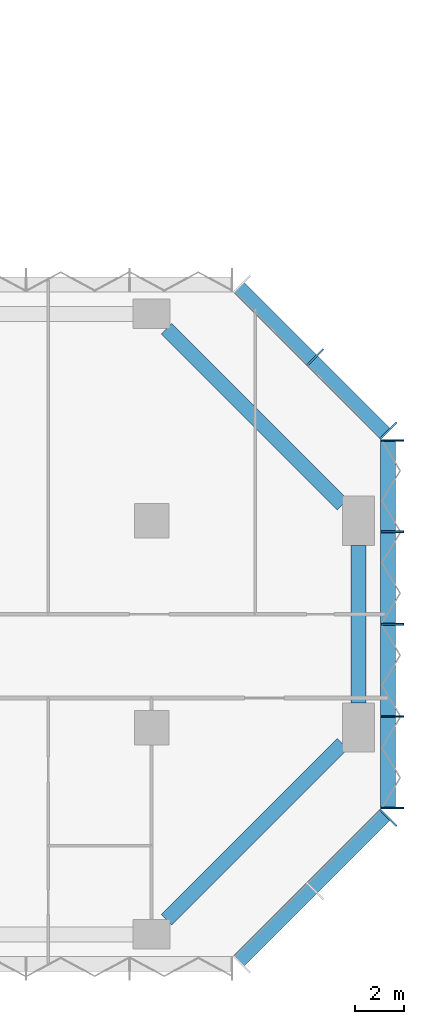
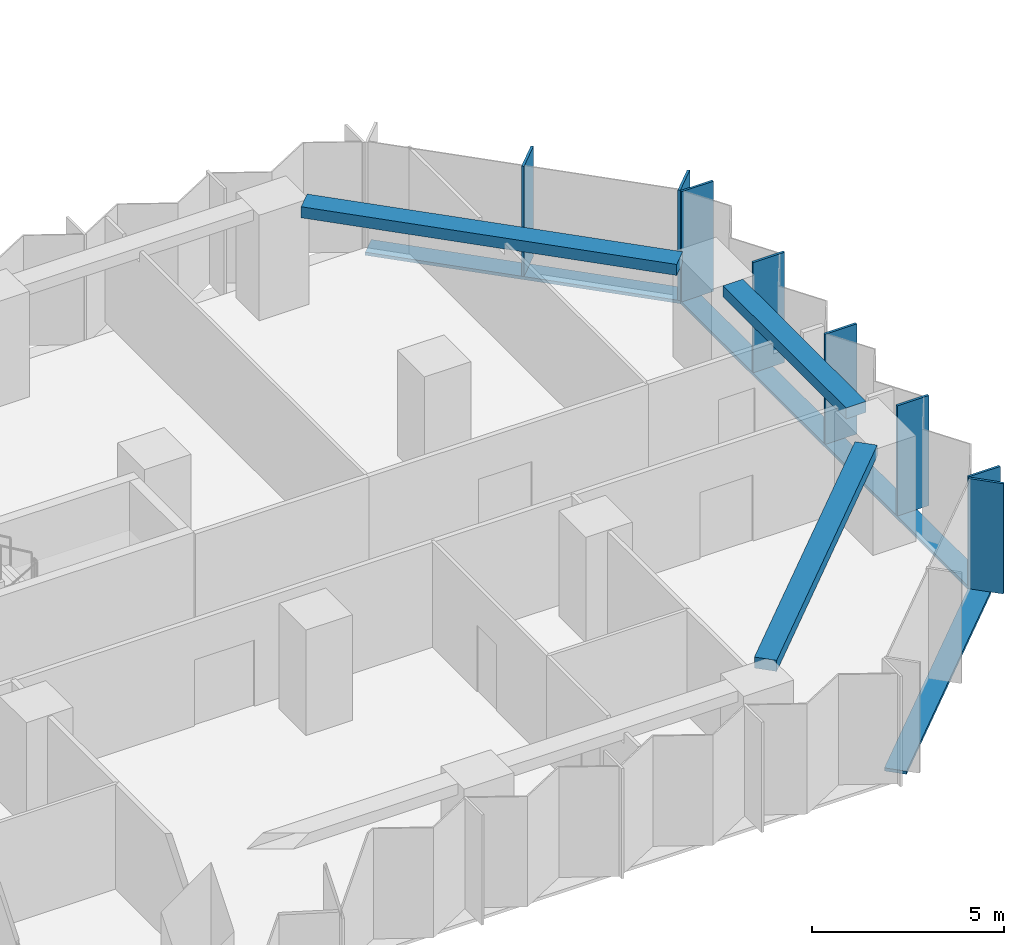
# One storey, part 4 of 15: 11 members, 3 beams, 3 elements without a shape of their own.
"""IFC4 building model written with IfcOpenShell, lengths in metres."""

from ifc_helpers import new_model, si_unit, direction, frame, origin, origin_2d, place, context, subcontext, project, spatial, rectangle, extrude, material, material_profile, profile_set, type_object, element, aggregate, save


model = new_model("IFC4")

# Units and contexts
model_context = context("Model", 3, precision=1e-05, world=origin(), true_north=direction((0.0, 1.0)))
body_context = subcontext(model_context, "Body", "Model", "MODEL_VIEW")
ifc_project = project(units=[si_unit("LENGTHUNIT", "METRE"), si_unit("AREAUNIT", "SQUARE_METRE"), si_unit("VOLUMEUNIT", "CUBIC_METRE"), si_unit("PLANEANGLEUNIT", "RADIAN"), si_unit("MASSUNIT", "GRAM", prefix="KILO")], contexts=[model_context])

# Site, building, storey
site_placement = place(None, origin())
site = spatial("IfcSite", under=ifc_project, at=site_placement, CompositionType="ELEMENT")
building_placement = place(site_placement, origin())
building = spatial("IfcBuilding", under=site, at=building_placement, Name="Brevane Broadcast Tower", CompositionType="ELEMENT")
storey_placement = place(building_placement, frame((0.0, 0.0, 47.300048828125)))
storey = spatial("IfcBuildingStorey", under=building, at=storey_placement, Name="L09", CompositionType="ELEMENT", Elevation=47.300048828125)

# Curtain wall, member
ifc_material_1 = material(Name="Aluminium 6063-T6 bronze anodised", Category="aluminium")
curtain_wall_type = type_object("IfcCurtainWallType", Name="CW-1 curtain wall", PredefinedType="NOTDEFINED", material=ifc_material_1)
curtain_wall_1_placement = place(storey_placement, origin())
curtain_wall_1 = element("IfcCurtainWall", 1, at=curtain_wall_1_placement, inside=storey, type_object=curtain_wall_type, Name="CW-1 typical tilted unit L09 south-east chamfer", PredefinedType="NOTDEFINED")
ifc_material_profile_1 = material_profile(ifc_material_1, rectangle(XDim=0.949951171875, YDim=0.070068359375, at=origin_2d()), Name="RECT 70x950")
ifc_profile_set_1 = profile_set([ifc_material_profile_1], Name="Aluminium 6063-T6 bronze anodised")
member_type_1 = type_object("IfcMemberType", Name="CW-1 mullion 70x950", PredefinedType="MULLION", material=ifc_profile_set_1)
member_1_placement = place(storey_placement, frame((68.4111328125, 4.7392578125, -0.150146484375), z_axis=(0.0, 0.0, 1.0), x_axis=(-0.707106781187, 0.707106781187, 0.0)))
member_1 = element("IfcMember", 2, at=member_1_placement, type_object=member_type_1, Name="CW-1 mullion", PredefinedType="MULLION", context=body_context, shape_type="SweptSolid", body=[
    extrude(rectangle(XDim=0.949951171875, YDim=0.070068359375, at=origin_2d()), origin(), (0.0, 0.0, 1.0), 3.5),
])

# Curtain wall, members
curtain_wall_2_placement = place(storey_placement, origin())
curtain_wall_2 = element("IfcCurtainWall", 3, at=curtain_wall_2_placement, inside=storey, type_object=curtain_wall_type, Name="CW-1 typical tilted unit L09 east end", PredefinedType="NOTDEFINED")
member_2_placement = place(storey_placement, frame((68.574951171875, 5.135009765625, -0.150146484375), z_axis=(0.0, 0.0, 1.0), x_axis=(-1.0, 0.0, 0.0)))
member_2 = element("IfcMember", 4, at=member_2_placement, type_object=member_type_1, Name="CW-1 mullion", PredefinedType="MULLION", context=body_context, shape_type="SweptSolid", body=[
    extrude(rectangle(XDim=0.949951171875, YDim=0.070068359375, at=origin_2d()), origin(), (0.0, 0.0, 1.0), 3.5),
])
member_3_placement = place(storey_placement, frame((68.574951171875, 8.85009765625, -0.150146484375), z_axis=(0.0, 0.0, 1.0), x_axis=(-1.0, 0.0, 0.0)))
member_3 = element("IfcMember", 5, at=member_3_placement, type_object=member_type_1, Name="CW-1 mullion", PredefinedType="MULLION", context=body_context, shape_type="SweptSolid", body=[
    extrude(rectangle(XDim=0.949951171875, YDim=0.070068359375, at=origin_2d()), origin(), (0.0, 0.0, 1.0), 3.5),
])
member_4_placement = place(storey_placement, frame((68.574951171875, 12.60009765625, -0.150146484375), z_axis=(0.0, 0.0, 1.0), x_axis=(-1.0, 0.0, 0.0)))
member_4 = element("IfcMember", 6, at=member_4_placement, type_object=member_type_1, Name="CW-1 mullion", PredefinedType="MULLION", context=body_context, shape_type="SweptSolid", body=[
    extrude(rectangle(XDim=0.949951171875, YDim=0.070068359375, at=origin_2d()), origin(), (0.0, 0.0, 1.0), 3.5),
])
member_5_placement = place(storey_placement, frame((68.574951171875, 16.35009765625, -0.150146484375), z_axis=(0.0, 0.0, 1.0), x_axis=(-1.0, 0.0, 0.0)))
member_5 = element("IfcMember", 7, at=member_5_placement, type_object=member_type_1, Name="CW-1 mullion", PredefinedType="MULLION", context=body_context, shape_type="SweptSolid", body=[
    extrude(rectangle(XDim=0.949951171875, YDim=0.070068359375, at=origin_2d()), origin(), (0.0, 0.0, 1.0), 3.5),
])
member_6_placement = place(storey_placement, frame((68.574951171875, 20.06494140625, -0.150146484375), z_axis=(0.0, 0.0, 1.0), x_axis=(-1.0, 0.0, 0.0)))
member_6 = element("IfcMember", 8, at=member_6_placement, type_object=member_type_1, Name="CW-1 mullion", PredefinedType="MULLION", context=body_context, shape_type="SweptSolid", body=[
    extrude(rectangle(XDim=0.949951171875, YDim=0.070068359375, at=origin_2d()), origin(), (0.0, 0.0, 1.0), 3.5),
])

curtain_wall_3_placement = place(storey_placement, origin())
curtain_wall_3 = element("IfcCurtainWall", 9, at=curtain_wall_3_placement, inside=storey, type_object=curtain_wall_type, Name="CW-1 typical tilted unit L09 north-east chamfer", PredefinedType="NOTDEFINED")
member_7_placement = place(storey_placement, frame((68.4111328125, 20.460693359375, -0.150146484375), z_axis=(0.0, 0.0, 1.0), x_axis=(-0.707106781187, -0.707106781187, 0.0)))
member_7 = element("IfcMember", 10, at=member_7_placement, type_object=member_type_1, Name="CW-1 mullion", PredefinedType="MULLION", context=body_context, shape_type="SweptSolid", body=[
    extrude(rectangle(XDim=0.949951171875, YDim=0.070068359375, at=origin_2d()), origin(), (0.0, 0.0, 1.0), 3.5),
])
member_8_placement = place(storey_placement, frame((65.435791015625, 23.435791015625, -0.150146484375), z_axis=(0.0, 0.0, 1.0), x_axis=(-0.707106781187, -0.707106781187, 0.0)))
member_8 = element("IfcMember", 11, at=member_8_placement, type_object=member_type_1, Name="CW-1 mullion", PredefinedType="MULLION", context=body_context, shape_type="SweptSolid", body=[
    extrude(rectangle(XDim=0.949951171875, YDim=0.070068359375, at=origin_2d()), origin(), (0.0, 0.0, 1.0), 3.5),
])

# Member
ifc_material_profile_2 = material_profile(ifc_material_1, rectangle(XDim=0.60009765625, YDim=0.10009765625, at=origin_2d()), Name="RECT 100x600")
ifc_profile_set_2 = profile_set([ifc_material_profile_2], Name="Aluminium 6063-T6 bronze anodised")
member_type_2 = type_object("IfcMemberType", Name="CW-1 transom 100x600", PredefinedType="USERDEFINED", material=ifc_profile_set_2)
member_9_placement = place(storey_placement, frame((62.31201171875, -1.112060546875, -0.199951171875), z_axis=(0.707106781187, 0.707106781187, 0.0), x_axis=(-0.707106781187, 0.707106781187, 0.0)))
member_9 = element("IfcMember", 12, at=member_9_placement, type_object=member_type_2, Name="CW-1 transom", ObjectType="TRANSOM", PredefinedType="USERDEFINED", context=body_context, shape_type="SweptSolid", body=[
    extrude(rectangle(XDim=0.60009765625, YDim=0.10009765625, at=origin_2d()), origin(), (0.0, 0.0, 1.0), 8.4853515625),
])

aggregate(curtain_wall_1, [member_1, member_9])

member_10_placement = place(storey_placement, frame((68.39990234375, 5.10009765625, -0.199951171875), z_axis=(0.0, 1.0, 0.0), x_axis=(-1.0, 0.0, 0.0)))
member_10 = element("IfcMember", 13, at=member_10_placement, type_object=member_type_2, Name="CW-1 transom", ObjectType="TRANSOM", PredefinedType="USERDEFINED", context=body_context, shape_type="SweptSolid", body=[
    extrude(rectangle(XDim=0.60009765625, YDim=0.10009765625, at=origin_2d()), origin(), (0.0, 0.0, 1.0), 15.0),
])

aggregate(curtain_wall_2, [member_2, member_3, member_4, member_5, member_6, member_10])

member_11_placement = place(storey_placement, frame((68.31201171875, 20.31201171875, -0.199951171875), z_axis=(-0.707106781187, 0.707106781187, 0.0), x_axis=(-0.707106781187, -0.707106781187, 0.0)))
member_11 = element("IfcMember", 14, at=member_11_placement, type_object=member_type_2, Name="CW-1 transom", ObjectType="TRANSOM", PredefinedType="USERDEFINED", context=body_context, shape_type="SweptSolid", body=[
    extrude(rectangle(XDim=0.60009765625, YDim=0.10009765625, at=origin_2d()), origin(), (0.0, 0.0, 1.0), 8.4853515625),
])

aggregate(curtain_wall_3, [member_7, member_8, member_11])

# Beams
ifc_material_2 = material(Name="Concrete C40/50", Category="concrete")
ifc_material_profile_3 = material_profile(ifc_material_2, rectangle(XDim=0.60009765625, YDim=0.35009765625, at=origin_2d()), Name="RC 600x350")
ifc_profile_set_3 = profile_set([ifc_material_profile_3], Name="Concrete C40/50")
beam_type = type_object("IfcBeamType", Name="RC SPANDREL BEAM 600x350 C40/50", PredefinedType="SPANDREL", material=ifc_profile_set_3)
beam_1_placement = place(storey_placement, frame((59.39990234375, 0.60009765625, 3.175048828125), z_axis=(0.707118853314, 0.707094708853, 0.0), x_axis=(-0.707094708853, 0.707118853314, 0.0)))
element("IfcBeam", 15, at=beam_1_placement, inside=storey, type_object=beam_type, Name="EB1 L09-5", PredefinedType="SPANDREL", context=body_context, shape_type="SweptSolid", body=[
    extrude(rectangle(XDim=0.60009765625, YDim=0.35009765625, at=origin_2d()), origin(), (0.0, 0.0, 1.0), 10.111572265625),
])
beam_2_placement = place(storey_placement, frame((67.199951171875, 9.39990234375, 3.175048828125), z_axis=(0.0, 1.0, 0.0), x_axis=(-1.0, 0.0, 0.0)))
element("IfcBeam", 16, at=beam_2_placement, inside=storey, type_object=beam_type, Name="EB1 L09-6", PredefinedType="SPANDREL", context=body_context, shape_type="SweptSolid", body=[
    extrude(rectangle(XDim=0.60009765625, YDim=0.35009765625, at=origin_2d()), origin(), (0.0, 0.0, 1.0), 6.400146484375),
])
beam_3_placement = place(storey_placement, frame((66.550048828125, 17.449951171875, 3.175048828125), z_axis=(-0.707106781187, 0.707106781187, 0.0), x_axis=(-0.707106781187, -0.707106781187, 0.0)))
element("IfcBeam", 17, at=beam_3_placement, inside=storey, type_object=beam_type, Name="EB1 L09-7", PredefinedType="SPANDREL", context=body_context, shape_type="SweptSolid", body=[
    extrude(rectangle(XDim=0.60009765625, YDim=0.35009765625, at=origin_2d()), origin(), (0.0, 0.0, 1.0), 10.11181640625),
])

save(model, "model.ifc")
